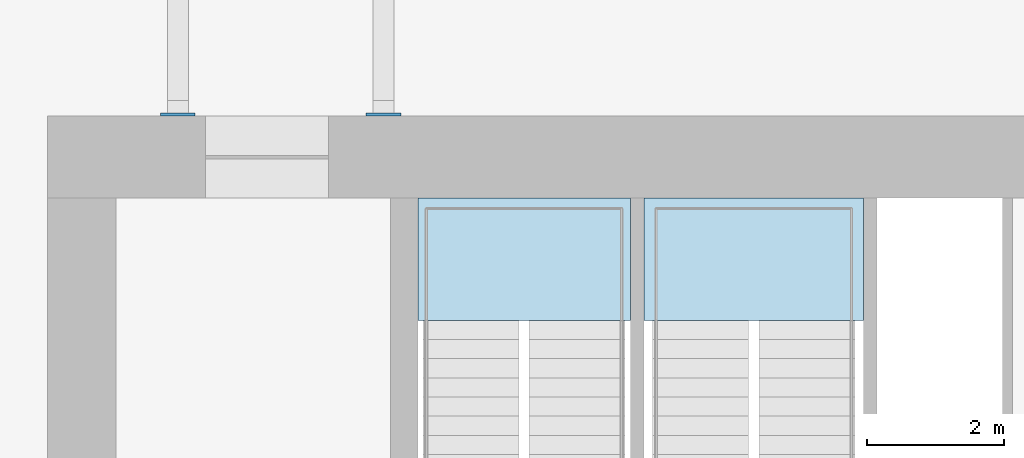
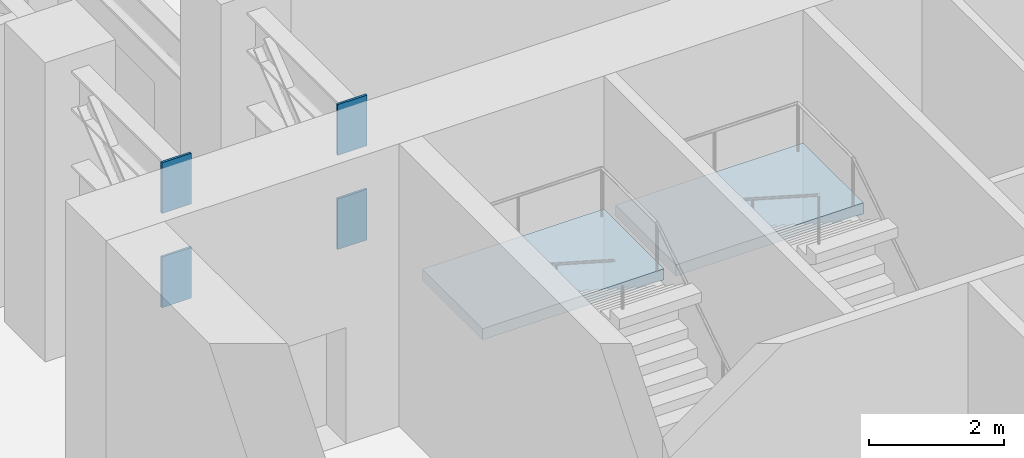
# One storey, part 5 of 14: 4 plates, 2 slabs, 2 elements without a shape of their own.
"""IFC4 building model written with IfcOpenShell, lengths in metres."""

from ifc_helpers import new_model, si_unit, direction, frame, origin, origin_2d, place, context, subcontext, project, spatial, polyline, rectangle, outline, extrude, material, layer, layer_set, type_object, element, aggregate, save


model = new_model("IFC4")

# Units and contexts
model_context = context("Model", 3, precision=1e-05, world=origin(), true_north=direction((0.0, 1.0)))
body_context = subcontext(model_context, "Body", "Model", "MODEL_VIEW")
ifc_project = project(units=[si_unit("LENGTHUNIT", "METRE"), si_unit("AREAUNIT", "SQUARE_METRE"), si_unit("VOLUMEUNIT", "CUBIC_METRE"), si_unit("PLANEANGLEUNIT", "RADIAN"), si_unit("MASSUNIT", "GRAM", prefix="KILO")], contexts=[model_context])

# Site, building, storey
site_placement = place(None, origin())
site = spatial("IfcSite", under=ifc_project, at=site_placement, CompositionType="ELEMENT")
building_placement = place(site_placement, origin())
building = spatial("IfcBuilding", under=site, at=building_placement, Name="Meshkara Civic Tower", CompositionType="ELEMENT")
storey_placement = place(building_placement, frame((0.0, 0.0, 91.800048828125)))
storey = spatial("IfcBuildingStorey", under=building, at=storey_placement, Name="L20", CompositionType="ELEMENT", Elevation=91.800048828125)

# Plates
ifc_material_1 = material(Name="Steel S355", Category="steel")
ifc_layer_1 = layer(ifc_material_1, 0.0400390625)
ifc_layer_set_1 = layer_set([ifc_layer_1], Name="Cast-in plate 40 504x916 S355")
plate_type = type_object("IfcPlateType", Name="Cast-in plate 40 504x916 S355", PredefinedType="SHEET", material=ifc_layer_set_1)
for number, where, z_axis, x_axis, name in (
    (1, (9.89990234375, 36.919921875, 4.283935546875), (0.0, 0.0, 1.0), (0.0, 1.0, 0.0), "Cast-in plate OSA1"),
    (2, (9.89990234375, 36.919921875, 2.583984375), (0.0, 0.0, 1.0), (0.0, 1.0, 0.0), "Cast-in plate OSA1"),
    (3, (12.89990234375, 36.919921875, 4.283935546875), (0.0, 0.0, 1.0), (0.0, 1.0, 0.0), "Cast-in plate OSA2"),
    (4, (12.89990234375, 36.919921875, 2.583984375), (0.0, 0.0, 1.0), (0.0, 1.0, 0.0), "Cast-in plate OSA2"),
):
    element("IfcPlate", number, at=place(storey_placement, frame(where, z_axis=z_axis, x_axis=x_axis)), inside=storey, type_object=plate_type, Name=name, PredefinedType="SHEET", context=body_context, shape_type="SweptSolid", body=[
        extrude(rectangle(XDim=0.0400390625, YDim=0.50390625, at=origin_2d()), origin(), (0.0, 0.0, 1.0), 0.916015625),
    ])

# Stair, slab
ifc_material_2 = material(Name="Precast concrete C40/50", Category="concrete")
stair_type = type_object("IfcStairType", Name="Exit stair half-turn 30 risers precast", PredefinedType="HALF_TURN_STAIR", material=ifc_material_2)
stair_1_placement = place(storey_placement, origin())
stair_1 = element("IfcStair", 5, at=stair_1_placement, inside=storey, type_object=stair_type, Name="L20 exit stair 1", PredefinedType="HALF_TURN_STAIR")
ifc_material_3 = material(Name="Precast concrete C40/50", Category="concrete")
ifc_layer_2 = layer(ifc_material_3, 0.199951171875)
ifc_layer_set_2 = layer_set([ifc_layer_2], Name="Exit stair landing 200")
slab_type = type_object("IfcSlabType", Name="Exit stair landing 200", PredefinedType="LANDING", material=ifc_layer_set_2)
slab_1_placement = place(storey_placement, frame((0.0, 0.0, 2.5)))
slab_1 = element("IfcSlab", 6, at=slab_1_placement, type_object=slab_type, Name="ST1 landing 1", PredefinedType="LANDING", context=body_context, shape_type="SweptSolid", body=[
    extrude(outline(polyline([(16.5, 33.91845703125), (16.5, 35.699951171875), (13.39990234375, 35.699951171875), (13.39990234375, 33.91845703125), (16.5, 33.91845703125)])), origin(), (0.0, 0.0, 1.0), 0.199951171875),
])
aggregate(stair_1, [slab_1])

stair_2_placement = place(storey_placement, origin())
stair_2 = element("IfcStair", 7, at=stair_2_placement, inside=storey, type_object=stair_type, Name="L20 exit stair 2", PredefinedType="HALF_TURN_STAIR")
slab_2_placement = place(storey_placement, frame((0.0, 0.0, 2.5)))
slab_2 = element("IfcSlab", 8, at=slab_2_placement, type_object=slab_type, Name="ST2 landing 1", PredefinedType="LANDING", context=body_context, shape_type="SweptSolid", body=[
    extrude(outline(polyline([(19.89990234375, 33.91845703125), (19.89990234375, 35.699951171875), (16.699951171875, 35.699951171875), (16.699951171875, 33.91845703125), (19.89990234375, 33.91845703125)])), origin(), (0.0, 0.0, 1.0), 0.199951171875),
])
aggregate(stair_2, [slab_2])

save(model, "model.ifc")
